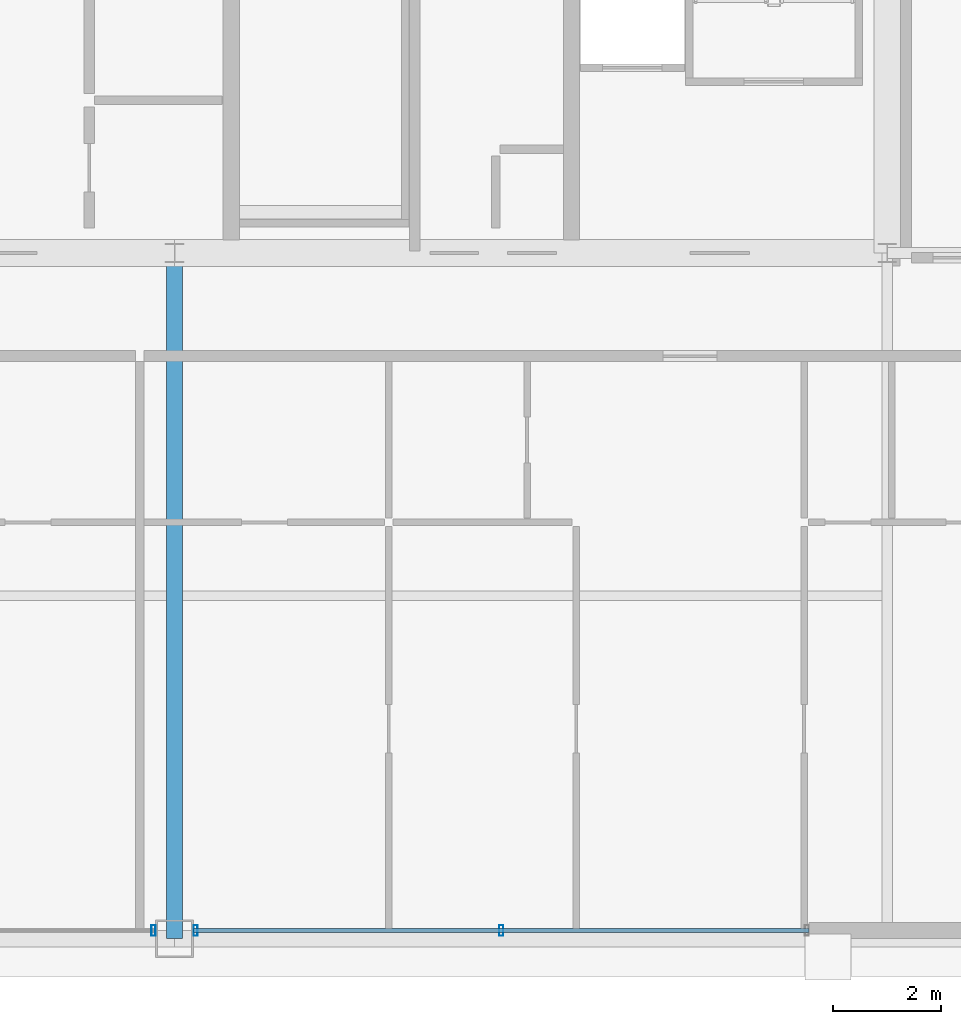
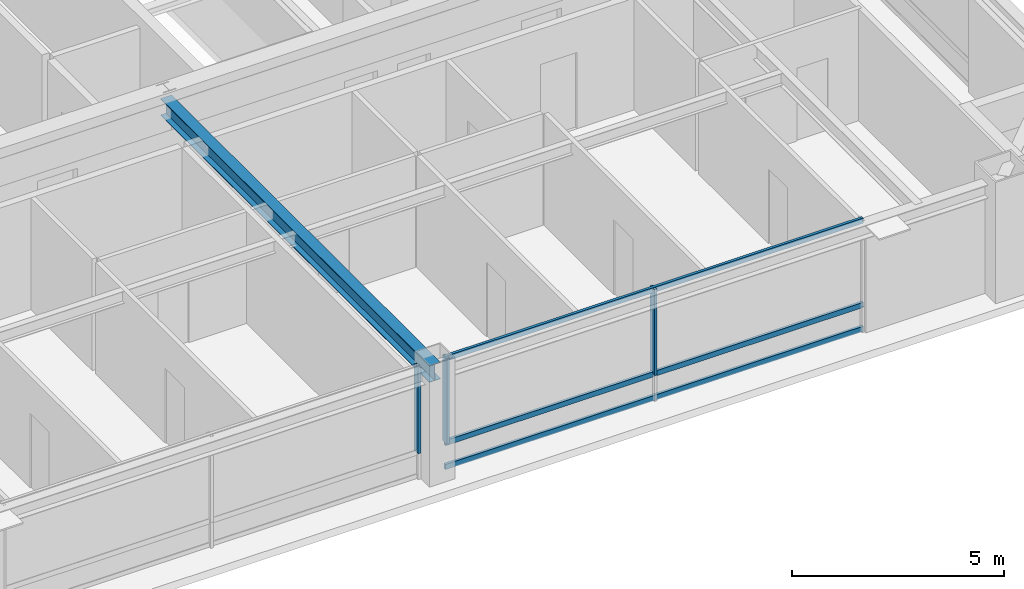
# One storey, part 8 of 35: 6 members, 1 beam, 2 elements without a shape of their own.
"""IFC4 building model written with IfcOpenShell, lengths in metres."""

from ifc_helpers import new_model, si_unit, direction, frame, origin, origin_2d, place, context, subcontext, project, spatial, hollow_rectangle, i_section, extrude, source, transform, mapped, material, layer, layer_set, material_profile, profile_set, type_object, element, aggregate, save


model = new_model("IFC4")

# Units and contexts
model_context = context("Model", 3, precision=1e-05, world=origin(), true_north=direction((0.0, 1.0)))
body_context = subcontext(model_context, "Body", "Model", "MODEL_VIEW")
ifc_project = project(units=[si_unit("LENGTHUNIT", "METRE"), si_unit("AREAUNIT", "SQUARE_METRE"), si_unit("VOLUMEUNIT", "CUBIC_METRE"), si_unit("PLANEANGLEUNIT", "RADIAN"), si_unit("MASSUNIT", "GRAM", prefix="KILO"), si_unit("THERMODYNAMICTEMPERATUREUNIT", "KELVIN"), si_unit("POWERUNIT", "WATT")], contexts=[model_context])

# Site, building, storey
site_placement = place(None, origin())
site = spatial("IfcSite", under=ifc_project, at=site_placement, CompositionType="ELEMENT")
building_placement = place(site_placement, origin())
building = spatial("IfcBuilding", under=site, at=building_placement, Name="Yuzanri Waterfront Tower", CompositionType="ELEMENT")
storey_placement = place(building_placement, frame((0.0, 0.0, 303.10009765625)))
storey = spatial("IfcBuildingStorey", under=building, at=storey_placement, Name="L81", CompositionType="ELEMENT", Elevation=303.10009765625)

# Beam
ifc_material_1 = material(Name="Steel Q355B", Category="steel")
ifc_material_profile_1 = material_profile(ifc_material_1, i_section(OverallWidth=0.300048828125, OverallDepth=0.488037109375, WebThickness=0.010986328125, FlangeThickness=0.01806640625, at=origin_2d()), Name="HM 488x300x11x18")
ifc_profile_set_1 = profile_set([ifc_material_profile_1], Name="Steel Q355B")
beam_type = type_object("IfcBeamType", Name="Primary Floor Girder Q355B HM 488x300", PredefinedType="BEAM", material=ifc_profile_set_1)
shared_shape_1 = source(origin(), body_context, "Body", "SweptSolid", [
    extrude(i_section(OverallWidth=0.300048828125, OverallDepth=0.488037109375, WebThickness=0.010986328125, FlangeThickness=0.01806640625, at=origin_2d()), origin(), (0.0, 0.0, 1.0), 12.699951171875),
])
beam_placement = place(storey_placement, frame((37.0, 19.39990234375, 2.975830078125), z_axis=(0.0, -1.0, 0.0), x_axis=(1.0, 0.0, 0.0)))
element("IfcBeam", 1, at=beam_placement, inside=storey, type_object=beam_type, Name="L81 South Grid Girder", PredefinedType="BEAM", context=body_context, shape_type="MappedRepresentation", body=[
    mapped(shared_shape_1, transform((0.0, 0.0, 0.0), scale=1.0)),
])

# Curtain wall, members
ifc_material_2 = material(Name="Anodized Architectural Bronze", Category="metal")
ifc_layer = layer(ifc_material_2, 0.159912109375)
ifc_layer_set = layer_set([ifc_layer], Name="Anodized Architectural Bronze")
curtain_wall_type = type_object("IfcCurtainWallType", Name="Anodized Bronze High-Rise Penthouse High-Wind Unitized Curtain Wall 6900", PredefinedType="NOTDEFINED", material=ifc_layer_set)
curtain_wall_1_placement = place(storey_placement, origin())
curtain_wall_1 = element("IfcCurtainWall", 2, at=curtain_wall_1_placement, inside=storey, type_object=curtain_wall_type, Name="L81 Curtain Wall CW-L81-SR", PredefinedType="NOTDEFINED")
ifc_material_3 = material(Name="Anodized Architectural Bronze", Category="metal")
ifc_material_profile_2 = material_profile(ifc_material_3, hollow_rectangle(XDim=0.074951171875, YDim=0.14990234375, WallThickness=0.00390625, at=origin_2d()), Name="CWT 75x150")
ifc_profile_set_2 = profile_set([ifc_material_profile_2], Name="Anodized Architectural Bronze")
member_type_1 = type_object("IfcMemberType", Name="Anodized Bronze Primary Curtain-Wall Transom 75x150", PredefinedType="USERDEFINED", material=ifc_profile_set_2)
shared_shape_2 = source(origin(), body_context, "Body", "SweptSolid", [
    extrude(hollow_rectangle(XDim=0.074951171875, YDim=0.14990234375, WallThickness=0.00390625, at=origin_2d()), origin(), (0.0, 0.0, 1.0), 11.39990234375),
])
member_1_placement = place(storey_placement, frame((37.35009765625, 6.85009765625, 0.0498046875), z_axis=(1.0, 0.0, 0.0), x_axis=(0.0, 1.0, 0.0)))
member_1 = element("IfcMember", 3, at=member_1_placement, type_object=member_type_1, Name="CW-L81-SR Transom 1", ObjectType="TRANSOM", PredefinedType="USERDEFINED", context=body_context, shape_type="MappedRepresentation", body=[
    mapped(shared_shape_2, transform((0.0, 0.0, 0.0), scale=1.0)),
])
member_2_placement = place(storey_placement, frame((37.35009765625, 6.85009765625, 0.740966796875), z_axis=(1.0, 0.0, 0.0), x_axis=(0.0, 1.0, 0.0)))
member_2 = element("IfcMember", 4, at=member_2_placement, type_object=member_type_1, Name="CW-L81-SR Transom 2", ObjectType="TRANSOM", PredefinedType="USERDEFINED", context=body_context, shape_type="MappedRepresentation", body=[
    mapped(shared_shape_2, transform((0.0, 0.0, 0.0), scale=1.0)),
])
member_3_placement = place(storey_placement, frame((37.35009765625, 6.85009765625, 3.169921875), z_axis=(1.0, 0.0, 0.0), x_axis=(0.0, 1.0, 0.0)))
member_3 = element("IfcMember", 5, at=member_3_placement, type_object=member_type_1, Name="CW-L81-SR Transom 3", ObjectType="TRANSOM", PredefinedType="USERDEFINED", context=body_context, shape_type="MappedRepresentation", body=[
    mapped(shared_shape_2, transform((0.0, 0.0, 0.0), scale=1.0)),
])

# Curtain wall, member
curtain_wall_2_placement = place(storey_placement, origin())
curtain_wall_2 = element("IfcCurtainWall", 6, at=curtain_wall_2_placement, inside=storey, type_object=curtain_wall_type, Name="L81 Curtain Wall CW-L81-SL", PredefinedType="NOTDEFINED")
ifc_material_4 = material(Name="Anodized Architectural Bronze", Category="metal")
ifc_material_profile_3 = material_profile(ifc_material_4, hollow_rectangle(XDim=0.074951171875, YDim=0.199951171875, WallThickness=0.00390625, at=origin_2d()), Name="CWM 75x200")
ifc_profile_set_3 = profile_set([ifc_material_profile_3], Name="Anodized Architectural Bronze")
member_type_2 = type_object("IfcMemberType", Name="Anodized Bronze Primary Curtain-Wall Mullion 75x200", PredefinedType="MULLION", material=ifc_profile_set_3)
shared_shape_3 = source(origin(), body_context, "Body", "SweptSolid", [
    extrude(hollow_rectangle(XDim=0.074951171875, YDim=0.199951171875, WallThickness=0.00390625, at=origin_2d()), origin(), (0.0, 0.0, 1.0), 2.47705078125),
])
member_4_placement = place(storey_placement, frame((36.610107421875, 6.85009765625, 0.742919921875), z_axis=(0.0, 0.0, 1.0), x_axis=(1.0, 0.0, 0.0)))
member_4 = element("IfcMember", 7, at=member_4_placement, type_object=member_type_2, Name="CW-L81-SL Upper Mullion 02", PredefinedType="MULLION", context=body_context, shape_type="MappedRepresentation", body=[
    mapped(shared_shape_3, transform((0.0, 0.0, 0.0), scale=1.0)),
])
aggregate(curtain_wall_2, [member_4])

# Member
member_5_placement = place(storey_placement, frame((37.389892578125, 6.85009765625, 0.742919921875), z_axis=(0.0, 0.0, 1.0), x_axis=(1.0, 0.0, 0.0)))
member_5 = element("IfcMember", 8, at=member_5_placement, type_object=member_type_2, Name="CW-L81-SR Upper Mullion 00", PredefinedType="MULLION", context=body_context, shape_type="MappedRepresentation", body=[
    mapped(shared_shape_3, transform((0.0, 0.0, 0.0), scale=1.0)),
])

member_6_placement = place(storey_placement, frame((43.050048828125, 6.85009765625, 0.742919921875), z_axis=(0.0, 0.0, 1.0), x_axis=(1.0, 0.0, 0.0)))
member_6 = element("IfcMember", 9, at=member_6_placement, type_object=member_type_2, Name="CW-L81-SR Upper Mullion 01", PredefinedType="MULLION", context=body_context, shape_type="MappedRepresentation", body=[
    mapped(shared_shape_3, transform((0.0, 0.0, 0.0), scale=1.0)),
])

aggregate(curtain_wall_1, [member_5, member_6, member_1, member_2, member_3])

save(model, "model.ifc")
